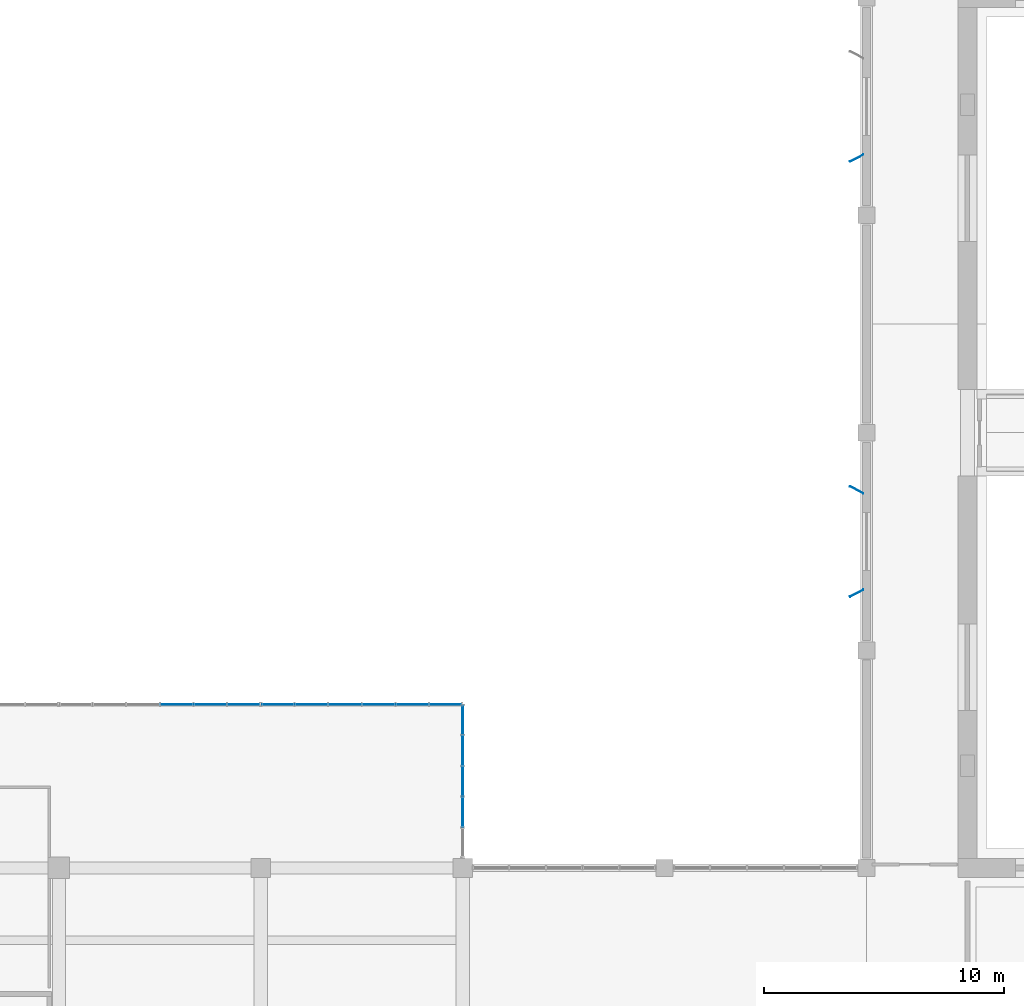
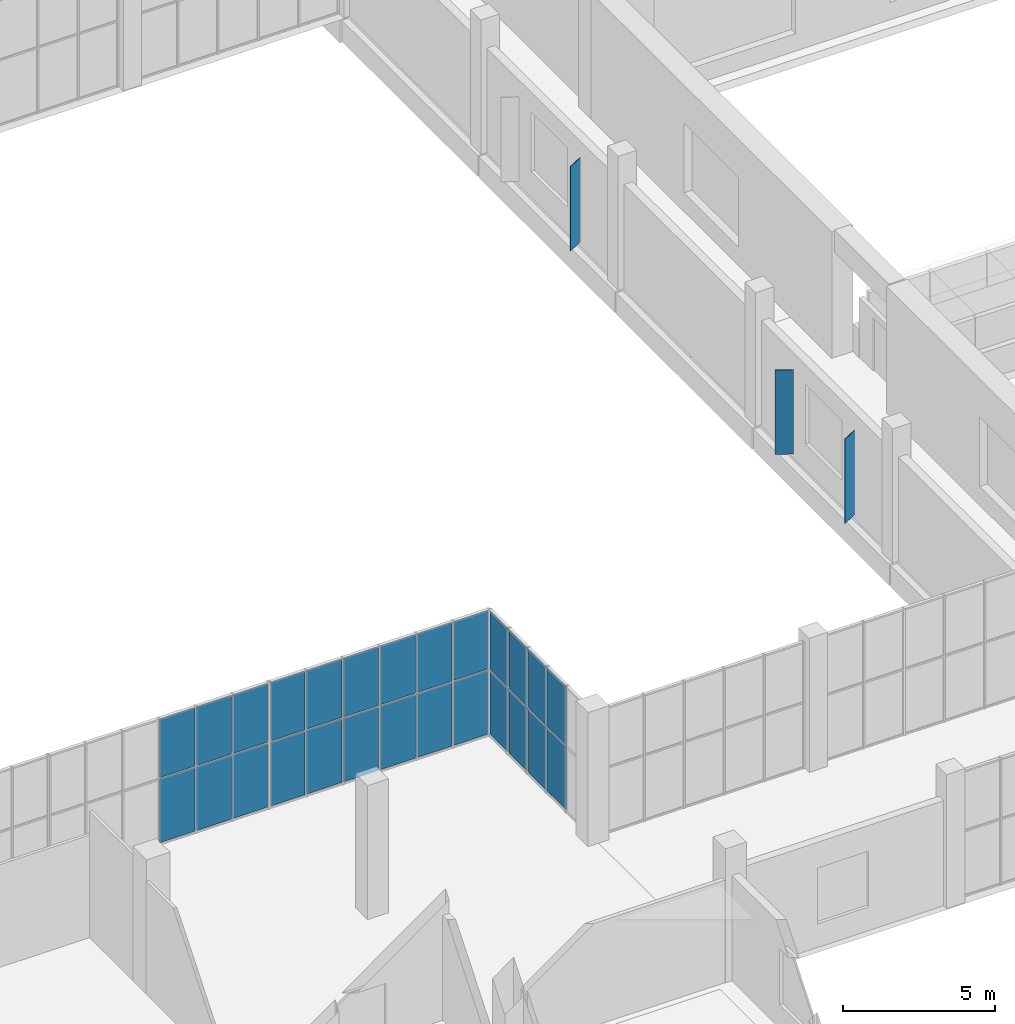
# One storey, part 66 of 91: 29 plates, 3 elements without a shape of their own.
"""IFC4 building model written with IfcOpenShell, lengths in metres."""

from ifc_helpers import new_model, si_unit, direction, frame, origin, origin_2d, place, context, subcontext, project, spatial, rectangle, extrude, material, layer, layer_set, type_object, element, aggregate, save


model = new_model("IFC4")

# Units and contexts
model_context = context("Model", 3, precision=1e-05, world=origin(), true_north=direction((0.0, 1.0)))
body_context = subcontext(model_context, "Body", "Model", "MODEL_VIEW")
ifc_project = project(units=[si_unit("LENGTHUNIT", "METRE"), si_unit("AREAUNIT", "SQUARE_METRE"), si_unit("VOLUMEUNIT", "CUBIC_METRE"), si_unit("PLANEANGLEUNIT", "RADIAN"), si_unit("MASSUNIT", "GRAM", prefix="KILO")], contexts=[model_context])

# Site, building, storey
site_placement = place(None, origin())
site = spatial("IfcSite", under=ifc_project, at=site_placement, CompositionType="ELEMENT")
building_placement = place(site_placement, origin())
building = spatial("IfcBuilding", under=site, at=building_placement, Name="Khurvash Pelagic Aquarium", CompositionType="ELEMENT")
storey_placement = place(building_placement, origin())
storey = spatial("IfcBuildingStorey", under=building, at=storey_placement, Name="L00", CompositionType="ELEMENT", Elevation=0.0)

# Curtain wall, plates
ifc_material_1 = material(Name="Anodised aluminium and low-E laminated glass", Category="aluminium")
curtain_wall_type_1 = type_object("IfcCurtainWallType", Name="CW-02", PredefinedType="USERDEFINED", material=ifc_material_1)
curtain_wall_1_placement = place(storey_placement, origin())
curtain_wall_1 = element("IfcCurtainWall", 1, at=curtain_wall_1_placement, inside=storey, type_object=curtain_wall_type_1, Name="L00 Facade Unitised Curtain Wall CW-02 0093", ObjectType="UNITISED CURTAIN WALL", PredefinedType="USERDEFINED")
ifc_material_2 = material(Name="Low-E laminated double glazing", Category="glass")
ifc_layer_1 = layer(ifc_material_2, 0.031982421875)
ifc_layer_set_1 = layer_set([ifc_layer_1], Name="Low-E laminated double glazing")
plate_type_1 = type_object("IfcPlateType", Name="CG-02", PredefinedType="CURTAIN_PANEL", material=ifc_layer_set_1)
plate_1_placement = place(storey_placement, frame((108.485107421875, 36.550048828125, 0.06005859375), z_axis=(0.0, 0.0, 1.0), x_axis=(-1.0, 0.0, 0.0)))
plate_1 = element("IfcPlate", 2, at=plate_1_placement, type_object=plate_type_1, Name="CW-02 panel 1.1", PredefinedType="CURTAIN_PANEL", context=body_context, shape_type="SweptSolid", body=[
    extrude(rectangle(XDim=1.31005859375, YDim=0.031982421875, at=origin_2d()), origin(), (0.0, 0.0, 1.0), 2.556884765625),
])
plate_2_placement = place(storey_placement, frame((108.485107421875, 36.550048828125, 2.677001953125), z_axis=(0.0, 0.0, 1.0), x_axis=(-1.0, 0.0, 0.0)))
plate_2 = element("IfcPlate", 3, at=plate_2_placement, type_object=plate_type_1, Name="CW-02 panel 1.2", PredefinedType="CURTAIN_PANEL", context=body_context, shape_type="SweptSolid", body=[
    extrude(rectangle(XDim=1.31005859375, YDim=0.031982421875, at=origin_2d()), origin(), (0.0, 0.0, 1.0), 2.35302734375),
])
plate_3_placement = place(storey_placement, frame((107.10009765625, 36.550048828125, 0.06005859375), z_axis=(0.0, 0.0, 1.0), x_axis=(-1.0, 0.0, 0.0)))
plate_3 = element("IfcPlate", 4, at=plate_3_placement, type_object=plate_type_1, Name="CW-02 panel 2.1", PredefinedType="CURTAIN_PANEL", context=body_context, shape_type="SweptSolid", body=[
    extrude(rectangle(XDim=1.340087890625, YDim=0.031982421875, at=origin_2d()), origin(), (0.0, 0.0, 1.0), 2.556884765625),
])
plate_4_placement = place(storey_placement, frame((107.10009765625, 36.550048828125, 2.677001953125), z_axis=(0.0, 0.0, 1.0), x_axis=(-1.0, 0.0, 0.0)))
plate_4 = element("IfcPlate", 5, at=plate_4_placement, type_object=plate_type_1, Name="CW-02 panel 2.2", PredefinedType="CURTAIN_PANEL", context=body_context, shape_type="SweptSolid", body=[
    extrude(rectangle(XDim=1.340087890625, YDim=0.031982421875, at=origin_2d()), origin(), (0.0, 0.0, 1.0), 2.35302734375),
])
plate_5_placement = place(storey_placement, frame((105.699951171875, 36.550048828125, 0.06005859375), z_axis=(0.0, 0.0, 1.0), x_axis=(-1.0, 0.0, 0.0)))
plate_5 = element("IfcPlate", 6, at=plate_5_placement, type_object=plate_type_1, Name="CW-02 panel 3.1", PredefinedType="CURTAIN_PANEL", context=body_context, shape_type="SweptSolid", body=[
    extrude(rectangle(XDim=1.340087890625, YDim=0.031982421875, at=origin_2d()), origin(), (0.0, 0.0, 1.0), 2.556884765625),
])
plate_6_placement = place(storey_placement, frame((105.699951171875, 36.550048828125, 2.677001953125), z_axis=(0.0, 0.0, 1.0), x_axis=(-1.0, 0.0, 0.0)))
plate_6 = element("IfcPlate", 7, at=plate_6_placement, type_object=plate_type_1, Name="CW-02 panel 3.2", PredefinedType="CURTAIN_PANEL", context=body_context, shape_type="SweptSolid", body=[
    extrude(rectangle(XDim=1.340087890625, YDim=0.031982421875, at=origin_2d()), origin(), (0.0, 0.0, 1.0), 2.35302734375),
])
plate_7_placement = place(storey_placement, frame((104.300048828125, 36.550048828125, 0.06005859375), z_axis=(0.0, 0.0, 1.0), x_axis=(-1.0, 0.0, 0.0)))
plate_7 = element("IfcPlate", 8, at=plate_7_placement, type_object=plate_type_1, Name="CW-02 panel 4.1", PredefinedType="CURTAIN_PANEL", context=body_context, shape_type="SweptSolid", body=[
    extrude(rectangle(XDim=1.340087890625, YDim=0.031982421875, at=origin_2d()), origin(), (0.0, 0.0, 1.0), 2.556884765625),
])
plate_8_placement = place(storey_placement, frame((104.300048828125, 36.550048828125, 2.677001953125), z_axis=(0.0, 0.0, 1.0), x_axis=(-1.0, 0.0, 0.0)))
plate_8 = element("IfcPlate", 9, at=plate_8_placement, type_object=plate_type_1, Name="CW-02 panel 4.2", PredefinedType="CURTAIN_PANEL", context=body_context, shape_type="SweptSolid", body=[
    extrude(rectangle(XDim=1.340087890625, YDim=0.031982421875, at=origin_2d()), origin(), (0.0, 0.0, 1.0), 2.35302734375),
])
plate_9_placement = place(storey_placement, frame((102.89990234375, 36.550048828125, 0.06005859375), z_axis=(0.0, 0.0, 1.0), x_axis=(-1.0, 0.0, 0.0)))
plate_9 = element("IfcPlate", 10, at=plate_9_placement, type_object=plate_type_1, Name="CW-02 panel 5.1", PredefinedType="CURTAIN_PANEL", context=body_context, shape_type="SweptSolid", body=[
    extrude(rectangle(XDim=1.340087890625, YDim=0.031982421875, at=origin_2d()), origin(), (0.0, 0.0, 1.0), 2.556884765625),
])
plate_10_placement = place(storey_placement, frame((102.89990234375, 36.550048828125, 2.677001953125), z_axis=(0.0, 0.0, 1.0), x_axis=(-1.0, 0.0, 0.0)))
plate_10 = element("IfcPlate", 11, at=plate_10_placement, type_object=plate_type_1, Name="CW-02 panel 5.2", PredefinedType="CURTAIN_PANEL", context=body_context, shape_type="SweptSolid", body=[
    extrude(rectangle(XDim=1.340087890625, YDim=0.031982421875, at=origin_2d()), origin(), (0.0, 0.0, 1.0), 2.35302734375),
])
plate_11_placement = place(storey_placement, frame((101.514892578125, 36.550048828125, 0.06005859375), z_axis=(0.0, 0.0, 1.0), x_axis=(-1.0, 0.0, 0.0)))
plate_11 = element("IfcPlate", 12, at=plate_11_placement, type_object=plate_type_1, Name="CW-02 panel 6.1", PredefinedType="CURTAIN_PANEL", context=body_context, shape_type="SweptSolid", body=[
    extrude(rectangle(XDim=1.31005859375, YDim=0.031982421875, at=origin_2d()), origin(), (0.0, 0.0, 1.0), 2.556884765625),
])
plate_12_placement = place(storey_placement, frame((101.514892578125, 36.550048828125, 2.677001953125), z_axis=(0.0, 0.0, 1.0), x_axis=(-1.0, 0.0, 0.0)))
plate_12 = element("IfcPlate", 13, at=plate_12_placement, type_object=plate_type_1, Name="CW-02 panel 6.2", PredefinedType="CURTAIN_PANEL", context=body_context, shape_type="SweptSolid", body=[
    extrude(rectangle(XDim=1.31005859375, YDim=0.031982421875, at=origin_2d()), origin(), (0.0, 0.0, 1.0), 2.35302734375),
])
aggregate(curtain_wall_1, [plate_1, plate_2, plate_3, plate_4, plate_5, plate_6, plate_7, plate_8, plate_9, plate_10, plate_11, plate_12])

curtain_wall_2_placement = place(storey_placement, origin())
curtain_wall_2 = element("IfcCurtainWall", 14, at=curtain_wall_2_placement, inside=storey, type_object=curtain_wall_type_1, Name="L00 Facade Unitised Curtain Wall CW-02 0094", ObjectType="UNITISED CURTAIN WALL", PredefinedType="USERDEFINED")
plate_13_placement = place(storey_placement, frame((100.0849609375, 36.550048828125, 0.06005859375), z_axis=(0.0, 0.0, 1.0), x_axis=(-1.0, 0.0, 0.0)))
plate_13 = element("IfcPlate", 15, at=plate_13_placement, type_object=plate_type_1, Name="CW-02 panel 1.1", PredefinedType="CURTAIN_PANEL", context=body_context, shape_type="SweptSolid", body=[
    extrude(rectangle(XDim=1.31005859375, YDim=0.031982421875, at=origin_2d()), origin(), (0.0, 0.0, 1.0), 2.556884765625),
])
plate_14_placement = place(storey_placement, frame((100.0849609375, 36.550048828125, 2.677001953125), z_axis=(0.0, 0.0, 1.0), x_axis=(-1.0, 0.0, 0.0)))
plate_14 = element("IfcPlate", 16, at=plate_14_placement, type_object=plate_type_1, Name="CW-02 panel 1.2", PredefinedType="CURTAIN_PANEL", context=body_context, shape_type="SweptSolid", body=[
    extrude(rectangle(XDim=1.31005859375, YDim=0.031982421875, at=origin_2d()), origin(), (0.0, 0.0, 1.0), 2.35302734375),
])
plate_15_placement = place(storey_placement, frame((98.699951171875, 36.550048828125, 0.06005859375), z_axis=(0.0, 0.0, 1.0), x_axis=(-1.0, 0.0, 0.0)))
plate_15 = element("IfcPlate", 17, at=plate_15_placement, type_object=plate_type_1, Name="CW-02 panel 2.1", PredefinedType="CURTAIN_PANEL", context=body_context, shape_type="SweptSolid", body=[
    extrude(rectangle(XDim=1.340087890625, YDim=0.031982421875, at=origin_2d()), origin(), (0.0, 0.0, 1.0), 2.556884765625),
])
plate_16_placement = place(storey_placement, frame((98.699951171875, 36.550048828125, 2.677001953125), z_axis=(0.0, 0.0, 1.0), x_axis=(-1.0, 0.0, 0.0)))
plate_16 = element("IfcPlate", 18, at=plate_16_placement, type_object=plate_type_1, Name="CW-02 panel 2.2", PredefinedType="CURTAIN_PANEL", context=body_context, shape_type="SweptSolid", body=[
    extrude(rectangle(XDim=1.340087890625, YDim=0.031982421875, at=origin_2d()), origin(), (0.0, 0.0, 1.0), 2.35302734375),
])
plate_17_placement = place(storey_placement, frame((97.300048828125, 36.550048828125, 0.06005859375), z_axis=(0.0, 0.0, 1.0), x_axis=(-1.0, 0.0, 0.0)))
plate_17 = element("IfcPlate", 19, at=plate_17_placement, type_object=plate_type_1, Name="CW-02 panel 3.1", PredefinedType="CURTAIN_PANEL", context=body_context, shape_type="SweptSolid", body=[
    extrude(rectangle(XDim=1.340087890625, YDim=0.031982421875, at=origin_2d()), origin(), (0.0, 0.0, 1.0), 2.556884765625),
])
plate_18_placement = place(storey_placement, frame((97.300048828125, 36.550048828125, 2.677001953125), z_axis=(0.0, 0.0, 1.0), x_axis=(-1.0, 0.0, 0.0)))
plate_18 = element("IfcPlate", 20, at=plate_18_placement, type_object=plate_type_1, Name="CW-02 panel 3.2", PredefinedType="CURTAIN_PANEL", context=body_context, shape_type="SweptSolid", body=[
    extrude(rectangle(XDim=1.340087890625, YDim=0.031982421875, at=origin_2d()), origin(), (0.0, 0.0, 1.0), 2.35302734375),
])
aggregate(curtain_wall_2, [plate_13, plate_14, plate_15, plate_16, plate_17, plate_18])

curtain_wall_type_2 = type_object("IfcCurtainWallType", Name="CW-05", PredefinedType="USERDEFINED", material=ifc_material_1)
curtain_wall_3_placement = place(storey_placement, origin())
curtain_wall_3 = element("IfcCurtainWall", 21, at=curtain_wall_3_placement, inside=storey, type_object=curtain_wall_type_2, Name="L00 Facade Unitised Curtain Wall CW-05 0092", ObjectType="UNITISED CURTAIN WALL", PredefinedType="USERDEFINED")
ifc_layer_2 = layer(ifc_material_2, 0.033935546875)
ifc_layer_set_2 = layer_set([ifc_layer_2], Name="Low-E laminated double glazing")
plate_type_2 = type_object("IfcPlateType", Name="CG-05", PredefinedType="CURTAIN_PANEL", material=ifc_layer_set_2)
plate_19_placement = place(storey_placement, frame((109.199951171875, 32.073486328125, 0.06005859375), z_axis=(0.0, 0.0, 1.0), x_axis=(0.0, 1.0, 0.0)))
plate_19 = element("IfcPlate", 22, at=plate_19_placement, type_object=plate_type_2, Name="CW-05 panel 2.1", PredefinedType="CURTAIN_PANEL", context=body_context, shape_type="SweptSolid", body=[
    extrude(rectangle(XDim=1.218994140625, YDim=0.033935546875, at=origin_2d()), origin(), (0.0, 0.0, 1.0), 2.556884765625),
])
plate_20_placement = place(storey_placement, frame((109.199951171875, 32.073486328125, 2.677001953125), z_axis=(0.0, 0.0, 1.0), x_axis=(0.0, 1.0, 0.0)))
plate_20 = element("IfcPlate", 23, at=plate_20_placement, type_object=plate_type_2, Name="CW-05 panel 2.2", PredefinedType="CURTAIN_PANEL", context=body_context, shape_type="SweptSolid", body=[
    extrude(rectangle(XDim=1.218994140625, YDim=0.033935546875, at=origin_2d()), origin(), (0.0, 0.0, 1.0), 2.35302734375),
])
plate_21_placement = place(storey_placement, frame((109.199951171875, 33.3525390625, 0.06005859375), z_axis=(0.0, 0.0, 1.0), x_axis=(0.0, 1.0, 0.0)))
plate_21 = element("IfcPlate", 24, at=plate_21_placement, type_object=plate_type_2, Name="CW-05 panel 3.1", PredefinedType="CURTAIN_PANEL", context=body_context, shape_type="SweptSolid", body=[
    extrude(rectangle(XDim=1.218994140625, YDim=0.033935546875, at=origin_2d()), origin(), (0.0, 0.0, 1.0), 2.556884765625),
])
plate_22_placement = place(storey_placement, frame((109.199951171875, 33.3525390625, 2.677001953125), z_axis=(0.0, 0.0, 1.0), x_axis=(0.0, 1.0, 0.0)))
plate_22 = element("IfcPlate", 25, at=plate_22_placement, type_object=plate_type_2, Name="CW-05 panel 3.2", PredefinedType="CURTAIN_PANEL", context=body_context, shape_type="SweptSolid", body=[
    extrude(rectangle(XDim=1.218994140625, YDim=0.033935546875, at=origin_2d()), origin(), (0.0, 0.0, 1.0), 2.35302734375),
])
plate_23_placement = place(storey_placement, frame((109.199951171875, 34.631591796875, 0.06005859375), z_axis=(0.0, 0.0, 1.0), x_axis=(0.0, 1.0, 0.0)))
plate_23 = element("IfcPlate", 26, at=plate_23_placement, type_object=plate_type_2, Name="CW-05 panel 4.1", PredefinedType="CURTAIN_PANEL", context=body_context, shape_type="SweptSolid", body=[
    extrude(rectangle(XDim=1.218994140625, YDim=0.033935546875, at=origin_2d()), origin(), (0.0, 0.0, 1.0), 2.556884765625),
])
plate_24_placement = place(storey_placement, frame((109.199951171875, 34.631591796875, 2.677001953125), z_axis=(0.0, 0.0, 1.0), x_axis=(0.0, 1.0, 0.0)))
plate_24 = element("IfcPlate", 27, at=plate_24_placement, type_object=plate_type_2, Name="CW-05 panel 4.2", PredefinedType="CURTAIN_PANEL", context=body_context, shape_type="SweptSolid", body=[
    extrude(rectangle(XDim=1.218994140625, YDim=0.033935546875, at=origin_2d()), origin(), (0.0, 0.0, 1.0), 2.35302734375),
])
plate_25_placement = place(storey_placement, frame((109.199951171875, 35.8955078125, 0.06005859375), z_axis=(0.0, 0.0, 1.0), x_axis=(0.0, 1.0, 0.0)))
plate_25 = element("IfcPlate", 28, at=plate_25_placement, type_object=plate_type_2, Name="CW-05 panel 5.1", PredefinedType="CURTAIN_PANEL", context=body_context, shape_type="SweptSolid", body=[
    extrude(rectangle(XDim=1.18896484375, YDim=0.033935546875, at=origin_2d()), origin(), (0.0, 0.0, 1.0), 2.556884765625),
])
plate_26_placement = place(storey_placement, frame((109.199951171875, 35.8955078125, 2.677001953125), z_axis=(0.0, 0.0, 1.0), x_axis=(0.0, 1.0, 0.0)))
plate_26 = element("IfcPlate", 29, at=plate_26_placement, type_object=plate_type_2, Name="CW-05 panel 5.2", PredefinedType="CURTAIN_PANEL", context=body_context, shape_type="SweptSolid", body=[
    extrude(rectangle(XDim=1.18896484375, YDim=0.033935546875, at=origin_2d()), origin(), (0.0, 0.0, 1.0), 2.35302734375),
])
aggregate(curtain_wall_3, [plate_19, plate_20, plate_21, plate_22, plate_23, plate_24, plate_25, plate_26])

# Plates
ifc_material_3 = material(Name="Anodised aluminium AW-5005", Category="aluminium")
ifc_layer_3 = layer(ifc_material_3, 0.02392578125)
ifc_layer_set_3 = layer_set([ifc_layer_3], Name="Anodised aluminium AW-5005")
plate_type_3 = type_object("IfcPlateType", Name="SP-01", PredefinedType="SHEET", material=ifc_layer_set_3)
for number, where, z_axis, x_axis, name in (
    (30, (125.592041015625, 45.47509765625, 0.150146484375), (0.0, 0.0, 1.0), (-0.882947592859, 0.469471562786, 0.0), "L00 Parametric Folded Aluminium Solar Screen Fin SP-01 0121"),
    (31, (125.592041015625, 41.175048828125, 0.150146484375), (0.0, 0.0, 1.0), (-0.882947592859, -0.469471562786, 0.0), "L00 Parametric Folded Aluminium Solar Screen Fin SP-01 0122"),
    (32, (125.592041015625, 59.27490234375, 0.150146484375), (0.0, 0.0, 1.0), (-0.882947592859, -0.469471562786, 0.0), "L00 Parametric Folded Aluminium Solar Screen Fin SP-01 0124"),
):
    element("IfcPlate", number, at=place(storey_placement, frame(where, z_axis=z_axis, x_axis=x_axis)), inside=storey, type_object=plate_type_3, Name=name, PredefinedType="SHEET", context=body_context, shape_type="SweptSolid", body=[
        extrude(rectangle(XDim=0.6201171875, YDim=0.02392578125, at=origin_2d()), origin(), (0.0, 0.0, 1.0), 3.39990234375),
    ])

save(model, "model.ifc")
